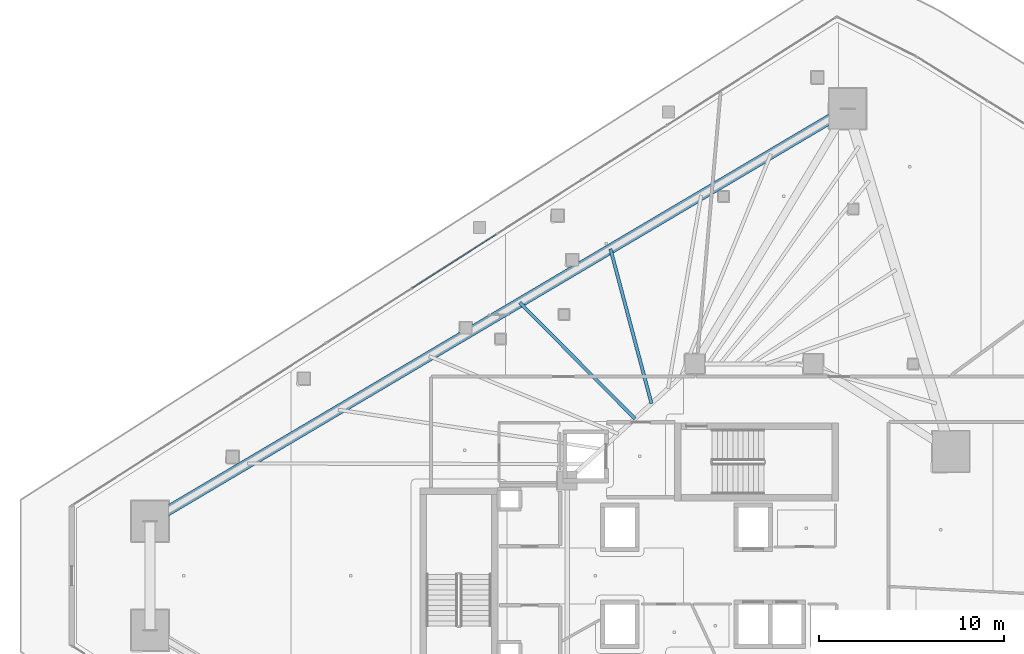
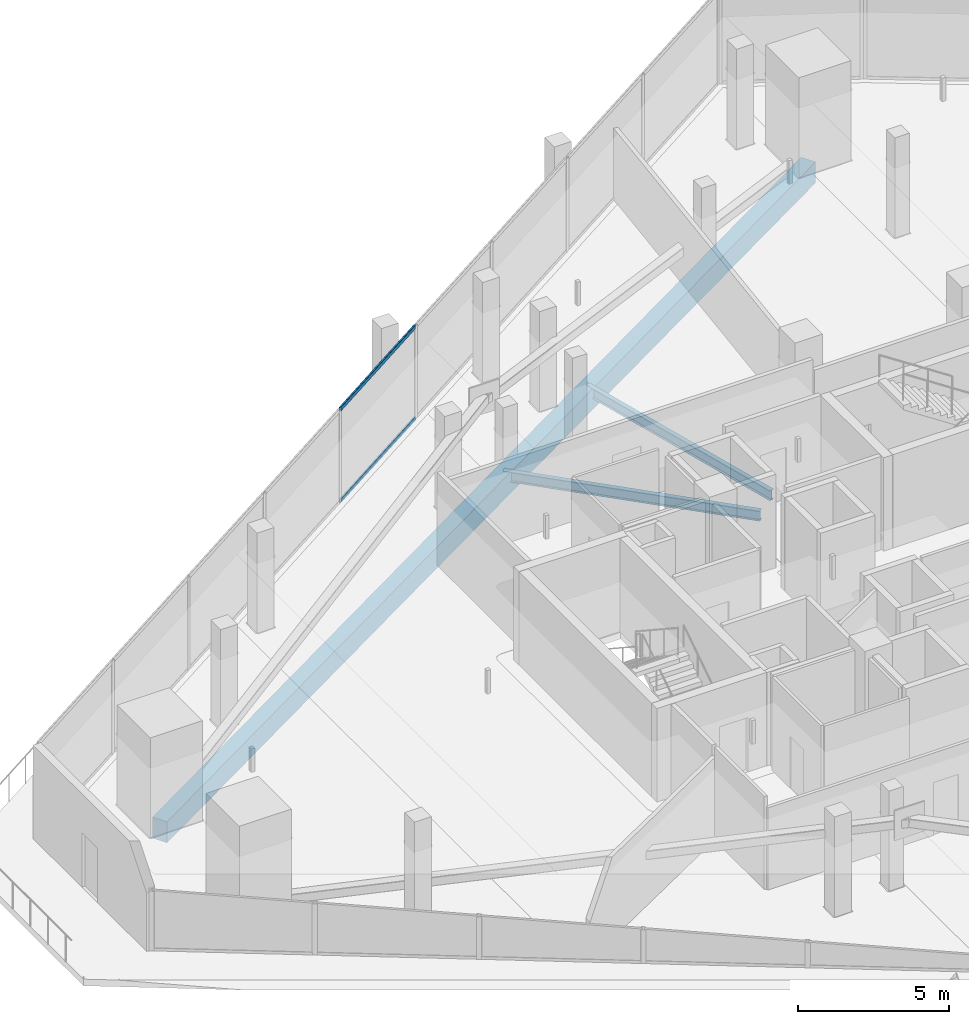
# One storey, part 17 of 40: 3 beams, 2 members, 1 element without a shape of its own.
"""IFC4 building model written with IfcOpenShell, lengths in metres."""

import ifcopenshell
import ifcopenshell.guid

model = None  # the IFC model being written
_history = None  # IfcOwnerHistory: only IFC2X3 demands one
_inside = {}  # id of a spatial element -> (the spatial element, [elements in it])
_under = {}  # id of a project, library or spatial element -> (it, [spatial elements below it])
_declared = {}  # id of a project -> (the project, [libraries it declares])
_typed = {}  # id of a type object -> (the type object, [elements of that type])
_made_of = {}  # id of a material, layer set ... -> (it, [elements and type objects made of it])


def new_model(schema):
    """Start an empty IFC model of exactly this schema.

    Asked for "IFC4X3", IfcOpenShell would pick the latest addendum, in which some entities
    have other attributes; the version numbers below select the first issue.
    IFC2X3 requires an IfcOwnerHistory on every rooted entity: one is made here for all.
    """
    global model, _history
    if schema == "IFC4X3":
        model = ifcopenshell.file(schema_version=(4, 3, 0, 0))
    else:
        model = ifcopenshell.file(schema=schema)
    _inside.clear()
    _under.clear()
    _declared.clear()
    _typed.clear()
    _made_of.clear()
    _history = None
    if model.schema == "IFC2X3":
        org = make("IfcOrganization", Name="unknown")
        user = make(
            "IfcPersonAndOrganization",
            ThePerson=make("IfcPerson", FamilyName="unknown"),
            TheOrganization=org,
        )
        app = make(
            "IfcApplication",
            ApplicationDeveloper=org,
            Version="unknown",
            ApplicationFullName="unknown",
            ApplicationIdentifier="unknown",
        )
        _history = make(
            "IfcOwnerHistory",
            OwningUser=user,
            OwningApplication=app,
            ChangeAction="ADDED",
            CreationDate=0,
        )
    return model


def make(cls, **values):
    """One entity of the class cls with the attributes given. An attribute that is None is left unset."""
    return model.create_entity(
        cls, **{name: value for name, value in values.items() if value is not None}
    )


def rooted(cls, **values):
    """An entity with a GlobalId (a new one), such as an element, a storey or a relation."""
    return make(cls, GlobalId=ifcopenshell.guid.new(), OwnerHistory=_history, **values)


def si_unit(unit_type, name, prefix=None):
    """IfcSIUnit, for example si_unit("LENGTHUNIT", "METRE", prefix="MILLI")."""
    return make("IfcSIUnit", UnitType=unit_type, Prefix=prefix, Name=name)


def assignment(units):
    """IfcUnitAssignment: the units of a project."""
    return None if units is None else make("IfcUnitAssignment", Units=units)


def point(xyz):
    """IfcCartesianPoint."""
    return None if xyz is None else make("IfcCartesianPoint", Coordinates=xyz)


def direction(xyz):
    """IfcDirection."""
    return None if xyz is None else make("IfcDirection", DirectionRatios=xyz)


def frame(location, z_axis=None, x_axis=None):
    """IfcAxis2Placement3D, a coordinate frame: its origin and axes. An axis left out is left unset."""
    return make(
        "IfcAxis2Placement3D",
        Location=point(location),
        Axis=direction(z_axis),
        RefDirection=direction(x_axis),
    )


def frame_2d(location, x_axis=None):
    """IfcAxis2Placement2D, a coordinate frame in the plane: its origin and x axis."""
    return make(
        "IfcAxis2Placement2D", Location=point(location), RefDirection=direction(x_axis)
    )


def origin():
    """The frame at (0, 0, 0) with its axes left unset."""
    return frame((0.0, 0.0, 0.0))


def origin_2d():
    """The frame at (0, 0) in the plane with its x axis left unset."""
    return frame_2d((0.0, 0.0))


def place(relative_to, where):
    """IfcLocalPlacement: puts the frame where relative to a parent placement (None: the world)."""
    return make(
        "IfcLocalPlacement", PlacementRelTo=relative_to, RelativePlacement=where
    )


def context(
    kind, dimensions, precision=None, world=None, true_north=None, identifier=None
):
    """IfcGeometricRepresentationContext, for example the 3D "Model" context."""
    return make(
        "IfcGeometricRepresentationContext",
        ContextIdentifier=identifier,
        ContextType=kind,
        CoordinateSpaceDimension=dimensions,
        Precision=precision,
        WorldCoordinateSystem=world,
        TrueNorth=true_north,
    )


def subcontext(parent, identifier, kind, view, scale=None):
    """IfcGeometricRepresentationSubContext, for example "Body" below "Model"."""
    return make(
        "IfcGeometricRepresentationSubContext",
        ContextIdentifier=identifier,
        ContextType=kind,
        ParentContext=parent,
        TargetScale=scale,
        TargetView=view,
    )


def project(units=None, contexts=None):
    """IfcProject with its units and contexts."""
    return rooted(
        "IfcProject",
        Name="project",
        RepresentationContexts=contexts,
        UnitsInContext=assignment(units),
    )


def spatial(cls, under=None, at=None, **own):
    """A site, building, storey or space (cls), placed at a placement, below another one or the project."""
    s = rooted(cls, ObjectPlacement=at, **own)
    if under is not None:
        _under.setdefault(under.id(), (under, []))[1].append(s)
    return s


def profile(cls, at=None, kind="AREA", **sizes):
    """A parametric profile (cls). Its sizes go by their IFC names, for example OverallWidth=200.0."""
    return make(cls, ProfileType=kind, Position=at, **sizes)


def rectangle(**sizes):
    """IfcRectangleProfileDef."""
    return profile("IfcRectangleProfileDef", **sizes)


def hollow_rectangle(**sizes):
    """IfcRectangleHollowProfileDef."""
    return profile("IfcRectangleHollowProfileDef", **sizes)


def i_section(**sizes):
    """IfcIShapeProfileDef."""
    return profile("IfcIShapeProfileDef", **sizes)


def extrude(swept, where, along, depth):
    """IfcExtrudedAreaSolid: the profile swept, set in the frame where, extruded along a direction by depth."""
    return make(
        "IfcExtrudedAreaSolid",
        SweptArea=swept,
        Position=where,
        ExtrudedDirection=direction(along),
        Depth=depth,
    )


def shape(context_of_items, identifier, shape_type, items):
    """IfcShapeRepresentation: the items that make up one representation, for example the "Body"."""
    return make(
        "IfcShapeRepresentation",
        ContextOfItems=context_of_items,
        RepresentationIdentifier=identifier,
        RepresentationType=shape_type,
        Items=items,
    )


def material(Name=None, Category=None):
    """IfcMaterial."""
    return make("IfcMaterial", Name=Name, Category=Category)


def layer(
    of_material, thickness, ventilated=None, Name=None, Category=None, Priority=None
):
    """IfcMaterialLayer: one layer of a wall or slab, of a material (None: an air gap)."""
    return make(
        "IfcMaterialLayer",
        Material=of_material,
        LayerThickness=thickness,
        IsVentilated=ventilated,
        Name=Name,
        Category=Category,
        Priority=Priority,
    )


def layer_set(layers, Name=None):
    """IfcMaterialLayerSet."""
    return make("IfcMaterialLayerSet", MaterialLayers=layers, LayerSetName=Name)


def material_profile(
    of_material, cross_section, Name=None, Category=None, Priority=None
):
    """IfcMaterialProfile: a cross section and its material."""
    return make(
        "IfcMaterialProfile",
        Name=Name,
        Material=of_material,
        Profile=cross_section,
        Priority=Priority,
        Category=Category,
    )


def profile_set(profiles, Name=None, composite=None):
    """IfcMaterialProfileSet."""
    return make(
        "IfcMaterialProfileSet",
        Name=Name,
        MaterialProfiles=profiles,
        CompositeProfile=composite,
    )


def made_of(thing, what):
    """Note that an element or type object is made of a material, layer set ...; save() writes the relation."""
    if what is not None:
        _made_of.setdefault(what.id(), (what, []))[1].append(thing)
    return thing


def type_object(cls, material=None, **own):
    """A type object (cls), such as IfcWallType, which elements share."""
    return made_of(rooted(cls, **own), material)


def element(
    cls,
    number,
    at=None,
    inside=None,
    cuts=None,
    type_object=None,
    material=None,
    context=None,
    identifier="Body",
    shape_type=None,
    held_by="IfcProductDefinitionShape",
    body=None,
    shapes=None,
    **own,
):
    """One element of the class cls, such as IfcWall. Its Tag is "e" and its number.

    at: its placement. inside: the storey or other place that contains it. cuts: it is an
    opening in that element (IfcRelVoidsElement). A single representation is given by context,
    identifier, shape_type and body (its items); several are given by shapes. held_by: the class
    of the entity that holds the representations. save() writes the other relations.
    """
    e = rooted(cls, Tag="e%d" % number, ObjectPlacement=at, **own)
    if body is not None:
        shapes = [shape(context, identifier, shape_type, body)]
    if shapes is not None:
        e.Representation = make(held_by, Representations=shapes)
    if inside is not None:
        _inside.setdefault(inside.id(), (inside, []))[1].append(e)
    if cuts is not None:
        rooted(
            "IfcRelVoidsElement", RelatingBuildingElement=cuts, RelatedOpeningElement=e
        )
    if type_object is not None:
        _typed.setdefault(type_object.id(), (type_object, []))[1].append(e)
    return made_of(e, material)


def aggregate(whole, parts):
    """IfcRelAggregates: a whole, such as a stair, and the parts it consists of."""
    return rooted("IfcRelAggregates", RelatingObject=whole, RelatedObjects=parts)


def save(model, path):
    """Write the relations noted so far, then the file.

    IfcRelAggregates (storeys below a building ...), IfcRelContainedInSpatialStructure (elements
    in a storey), IfcRelDefinesByType, IfcRelAssociatesMaterial and IfcRelDeclares: one each for
    every whole, place, type object, material and project.
    """
    for whole, parts in _under.values():
        aggregate(whole, parts)
    for where, things in _inside.values():
        rooted(
            "IfcRelContainedInSpatialStructure",
            RelatedElements=things,
            RelatingStructure=where,
        )
    for kind, things in _typed.values():
        rooted("IfcRelDefinesByType", RelatedObjects=things, RelatingType=kind)
    for what, things in _made_of.values():
        rooted("IfcRelAssociatesMaterial", RelatedObjects=things, RelatingMaterial=what)
    for by, libraries in _declared.values():
        rooted("IfcRelDeclares", RelatingContext=by, RelatedDefinitions=libraries)
    model.write(path)


model = new_model("IFC4")

# Units and contexts
model_context = context("Model", 3, precision=1e-05, world=origin(), true_north=direction((0.0, 1.0)))
body_context = subcontext(model_context, "Body", "Model", "MODEL_VIEW")
ifc_project = project(units=[si_unit("LENGTHUNIT", "METRE"), si_unit("AREAUNIT", "SQUARE_METRE"), si_unit("VOLUMEUNIT", "CUBIC_METRE"), si_unit("PLANEANGLEUNIT", "RADIAN"), si_unit("MASSUNIT", "GRAM", prefix="KILO")], contexts=[model_context])

# Site, building, storey
site_placement = place(None, origin())
site = spatial("IfcSite", under=ifc_project, at=site_placement, CompositionType="ELEMENT")
building_placement = place(site_placement, origin())
building = spatial("IfcBuilding", under=site, at=building_placement, Name="Qorvath Tower", CompositionType="ELEMENT")
storey_placement = place(building_placement, frame((0.0, 0.0, 138.14990234375)))
storey = spatial("IfcBuildingStorey", under=building, at=storey_placement, Name="L31", CompositionType="ELEMENT", Elevation=138.14990234375)

# Beams
ifc_material_1 = material(Name="Steel ASTM A992 Grade 50", Category="steel")
ifc_material_profile_1 = material_profile(ifc_material_1, i_section(OverallWidth=0.177978515625, OverallDepth=0.406005859375, WebThickness=0.0078125, FlangeThickness=0.0126953125, FilletRadius=0.010986328125, at=origin_2d()), Name="W16x40")
ifc_profile_set_1 = profile_set([ifc_material_profile_1], Name="Steel ASTM A992 Grade 50")
beam_type_1 = type_object("IfcBeamType", Name="BM-FJ3", PredefinedType="JOIST", material=ifc_profile_set_1)
beam_1_placement = place(storey_placement, frame((-26.843017578125, 8.489013671875, -0.472900390625), z_axis=(-0.70395121362, 0.710248328997, 0.0), x_axis=(-0.710248328997, -0.70395121362, 0.0)))
element("IfcBeam", 1, at=beam_1_placement, inside=storey, type_object=beam_type_1, Name="Composite Floor Joist NW4 L31", PredefinedType="JOIST", context=body_context, shape_type="SweptSolid", body=[
    extrude(i_section(OverallWidth=0.177978515625, OverallDepth=0.406005859375, WebThickness=0.0078125, FlangeThickness=0.0126953125, FilletRadius=0.010986328125, at=origin_2d()), origin(), (0.0, 0.0, 1.0), 8.839599609375),
])
beam_2_placement = place(storey_placement, frame((-25.946044921875, 9.30810546875, -0.472900390625), z_axis=(-0.256507909517, 0.966542131702, 0.0), x_axis=(-0.966542131702, -0.256507909517, 0.0)))
element("IfcBeam", 2, at=beam_2_placement, inside=storey, type_object=beam_type_1, Name="Composite Floor Joist NW5 L31", PredefinedType="JOIST", context=body_context, shape_type="SweptSolid", body=[
    extrude(i_section(OverallWidth=0.177978515625, OverallDepth=0.406005859375, WebThickness=0.0078125, FlangeThickness=0.0126953125, FilletRadius=0.010986328125, at=origin_2d()), origin(), (0.0, 0.0, 1.0), 8.64697265625),
])
ifc_material_2 = material(Name="Concrete C50/60", Category="concrete")
ifc_material_profile_2 = material_profile(ifc_material_2, rectangle(XDim=0.550048828125, YDim=0.85009765625, at=origin_2d()), Name="RCB 850x550")
ifc_profile_set_2 = profile_set([ifc_material_profile_2], Name="Concrete C50/60")
beam_type_2 = type_object("IfcBeamType", Name="BM-RCB2", PredefinedType="SPANDREL", material=ifc_profile_set_2)
beam_3_placement = place(storey_placement, frame((-15.34423828125, 25.24609375, -0.695068359375), z_axis=(-0.860775142889, -0.508985415689, 0.0), x_axis=(0.508985415689, -0.860775142889, 0.0)))
element("IfcBeam", 3, at=beam_3_placement, inside=storey, type_object=beam_type_2, Name="Perimeter Loggia Frame Beam MC6-MC1 L31", PredefinedType="SPANDREL", context=body_context, shape_type="SweptSolid", body=[
    extrude(rectangle(XDim=0.550048828125, YDim=0.85009765625, at=origin_2d()), origin(), (0.0, 0.0, 1.0), 43.8037109375),
])

# Curtain wall, members
ifc_material_3 = material(Name="Anodised aluminium and triple low-E glass", Category="aluminium")
ifc_layer = layer(ifc_material_3, 0.179931640625)
ifc_layer_set = layer_set([ifc_layer], Name="CW-SYS-3")
curtain_wall_type = type_object("IfcCurtainWallType", Name="CW-SYS-3", PredefinedType="NOTDEFINED", material=ifc_layer_set)
curtain_wall_placement = place(storey_placement, origin())
curtain_wall = element("IfcCurtainWall", 4, at=curtain_wall_placement, inside=storey, type_object=curtain_wall_type, Name="Curtain Wall CW-3 CW-T-L31-16.1", PredefinedType="NOTDEFINED")
ifc_material_4 = material(Name="Anodised aluminium 6063-T6", Category="aluminium")
ifc_material_profile_3 = material_profile(ifc_material_4, hollow_rectangle(XDim=0.06494140625, YDim=0.159912109375, WallThickness=0.00341796875, InnerFilletRadius=0.00341796875, OuterFilletRadius=0.007080078125, at=origin_2d()), Name="CWT 160x65")
ifc_profile_set_3 = profile_set([ifc_material_profile_3], Name="Anodised aluminium 6063-T6")
member_type = type_object("IfcMemberType", Name="CWT-160", PredefinedType="USERDEFINED", material=ifc_profile_set_3)
member_1_placement = place(storey_placement, frame((-34.338623046875, 18.442626953125, 0.032470703125), z_axis=(-0.842602030071, -0.538536738691, 0.0), x_axis=(0.538536738691, -0.842602030071, 0.0)))
member_1 = element("IfcMember", 5, at=member_1_placement, type_object=member_type, Name="CW-3 transom 5.1", ObjectType="TRANSOM", PredefinedType="USERDEFINED", context=body_context, shape_type="SweptSolid", body=[
    extrude(hollow_rectangle(XDim=0.06494140625, YDim=0.159912109375, WallThickness=0.00341796875, InnerFilletRadius=0.00341796875, OuterFilletRadius=0.007080078125, at=origin_2d()), origin(), (0.0, 0.0, 1.0), 5.388427734375),
])
member_2_placement = place(storey_placement, frame((-34.338623046875, 18.442626953125, 3.74755859375), z_axis=(-0.842602030071, -0.538536738691, 0.0), x_axis=(0.538536738691, -0.842602030071, 0.0)))
member_2 = element("IfcMember", 6, at=member_2_placement, type_object=member_type, Name="CW-3 transom 5.2", ObjectType="TRANSOM", PredefinedType="USERDEFINED", context=body_context, shape_type="SweptSolid", body=[
    extrude(hollow_rectangle(XDim=0.06494140625, YDim=0.159912109375, WallThickness=0.00341796875, InnerFilletRadius=0.00341796875, OuterFilletRadius=0.007080078125, at=origin_2d()), origin(), (0.0, 0.0, 1.0), 5.388427734375),
])
aggregate(curtain_wall, [member_1, member_2])

save(model, "model.ifc")
